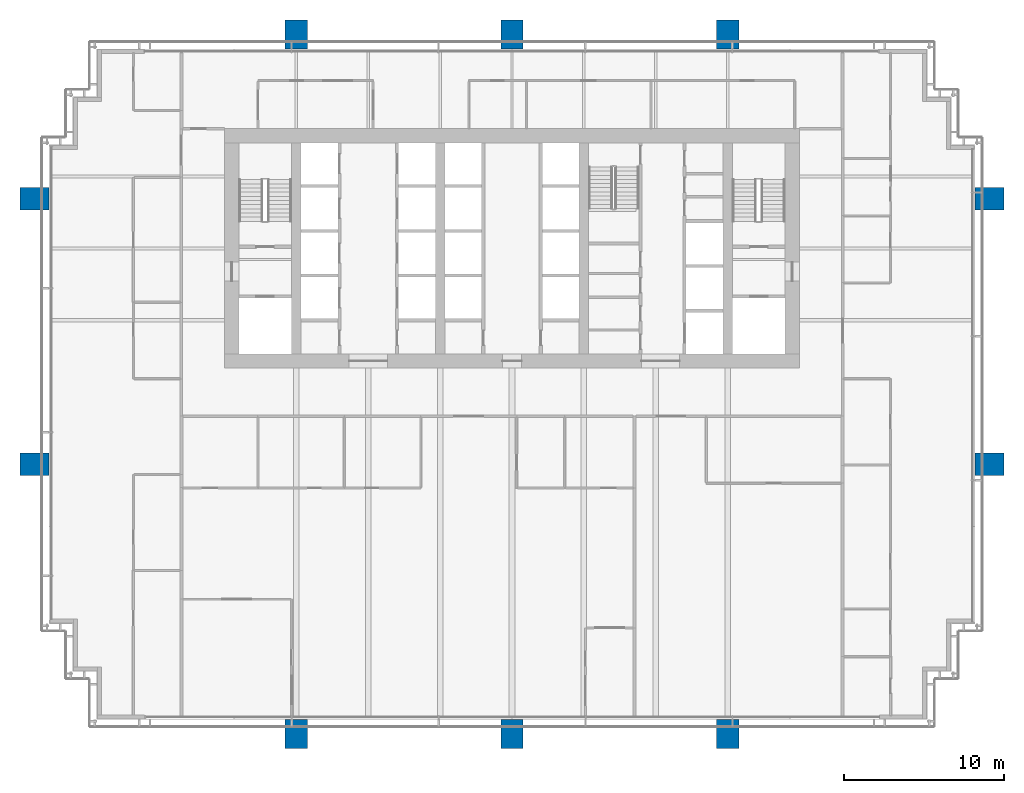
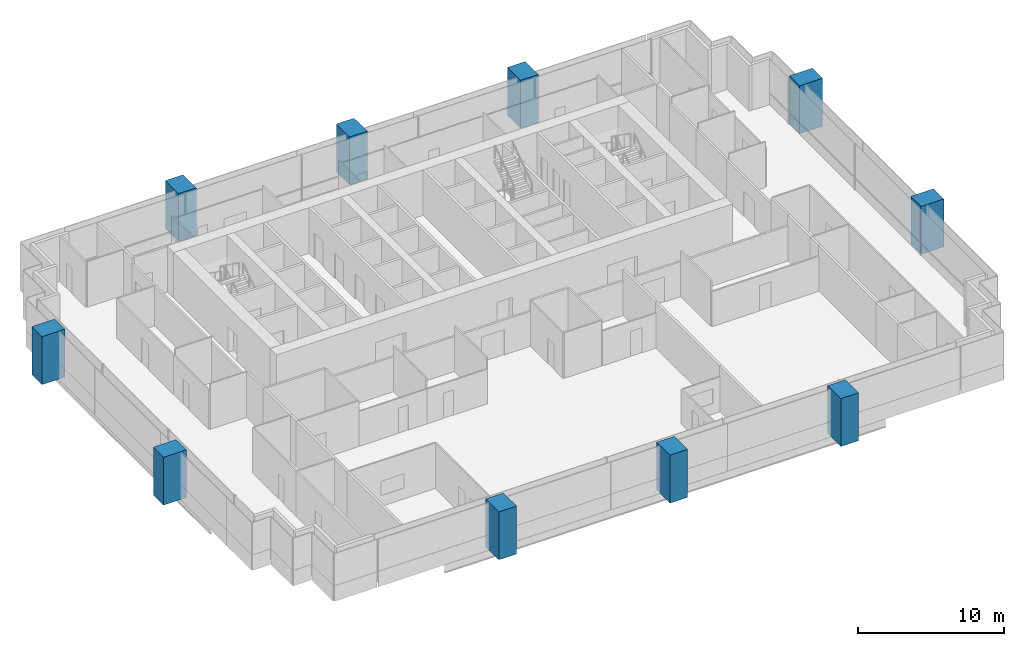
# One storey, part 1 of 18: 10 columns.
"""IFC4 building model written with IfcOpenShell, lengths in metres."""

from ifc_helpers import new_model, si_unit, direction, frame, origin, origin_2d, place, context, subcontext, project, spatial, rectangle, extrude, material, material_profile, profile_set, type_object, element, save


model = new_model("IFC4")

# Units and contexts
model_context = context("Model", 3, precision=1e-05, world=origin(), true_north=direction((0.0, 1.0)))
body_context = subcontext(model_context, "Body", "Model", "MODEL_VIEW")
ifc_project = project(units=[si_unit("LENGTHUNIT", "METRE"), si_unit("AREAUNIT", "SQUARE_METRE"), si_unit("VOLUMEUNIT", "CUBIC_METRE"), si_unit("PLANEANGLEUNIT", "RADIAN"), si_unit("MASSUNIT", "GRAM", prefix="KILO")], contexts=[model_context])

# Site, building, storey
site_placement = place(None, origin())
site = spatial("IfcSite", under=ifc_project, at=site_placement, CompositionType="ELEMENT")
building_placement = place(site_placement, origin())
building = spatial("IfcBuilding", under=site, at=building_placement, Name="Rattan Terrace Tower", CompositionType="ELEMENT")
storey_placement = place(building_placement, frame((0.0, 0.0, 134.10009765625)))
storey = spatial("IfcBuildingStorey", under=building, at=storey_placement, Name="L30", CompositionType="ELEMENT", Elevation=134.10009765625)

# Columns
ifc_material = material(Name="Concrete C50/60", Category="concrete")
ifc_material_profile = material_profile(ifc_material, rectangle(XDim=1.39990234375, YDim=1.800048828125, at=origin_2d()), Name="CFT 1800x1400")
ifc_profile_set = profile_set([ifc_material_profile], Name="Concrete C50/60")
column_type = type_object("IfcColumnType", Name="Frame exoskeleton column CFT 1800x1400", PredefinedType="COLUMN", material=ifc_profile_set)
for number, where, z_axis, x_axis, name in (
    (1, (-13.5, -30.39990234375, -0.2001953125), (0.0, 0.0, 1.0), (1.0, 0.0, 0.0), "exo-L30-001"),
    (2, (0.0, -30.39990234375, -0.2001953125), (0.0, 0.0, 1.0), (1.0, 0.0, 0.0), "exo-L30-002"),
    (3, (13.5, -30.39990234375, -0.2001953125), (0.0, 0.0, 1.0), (1.0, 0.0, 0.0), "exo-L30-003"),
    (4, (-29.89990234375, -13.5, -0.2001953125), (0.0, 0.0, 1.0), (0.0, 1.0, 0.0), "exo-L30-004"),
    (5, (29.89990234375, -13.5, -0.2001953125), (0.0, 0.0, 1.0), (0.0, 1.0, 0.0), "exo-L30-005"),
    (6, (-29.89990234375, 3.10009765625, -0.2001953125), (0.0, 0.0, 1.0), (0.0, 1.0, 0.0), "exo-L30-006"),
    (7, (29.89990234375, 3.10009765625, -0.2001953125), (0.0, 0.0, 1.0), (0.0, 1.0, 0.0), "exo-L30-007"),
    (8, (-13.5, 13.39990234375, -0.2001953125), (0.0, 0.0, 1.0), (1.0, 0.0, 0.0), "exo-L30-008"),
    (9, (0.0, 13.39990234375, -0.2001953125), (0.0, 0.0, 1.0), (1.0, 0.0, 0.0), "exo-L30-009"),
    (10, (13.5, 13.39990234375, -0.2001953125), (0.0, 0.0, 1.0), (1.0, 0.0, 0.0), "exo-L30-010"),
):
    element("IfcColumn", number, at=place(storey_placement, frame(where, z_axis=z_axis, x_axis=x_axis)), inside=storey, type_object=column_type, Name=name, PredefinedType="COLUMN", context=body_context, shape_type="SweptSolid", body=[
        extrude(rectangle(XDim=1.39990234375, YDim=1.800048828125, at=origin_2d()), origin(), (0.0, 0.0, 1.0), 4.0),
    ])

save(model, "model.ifc")
